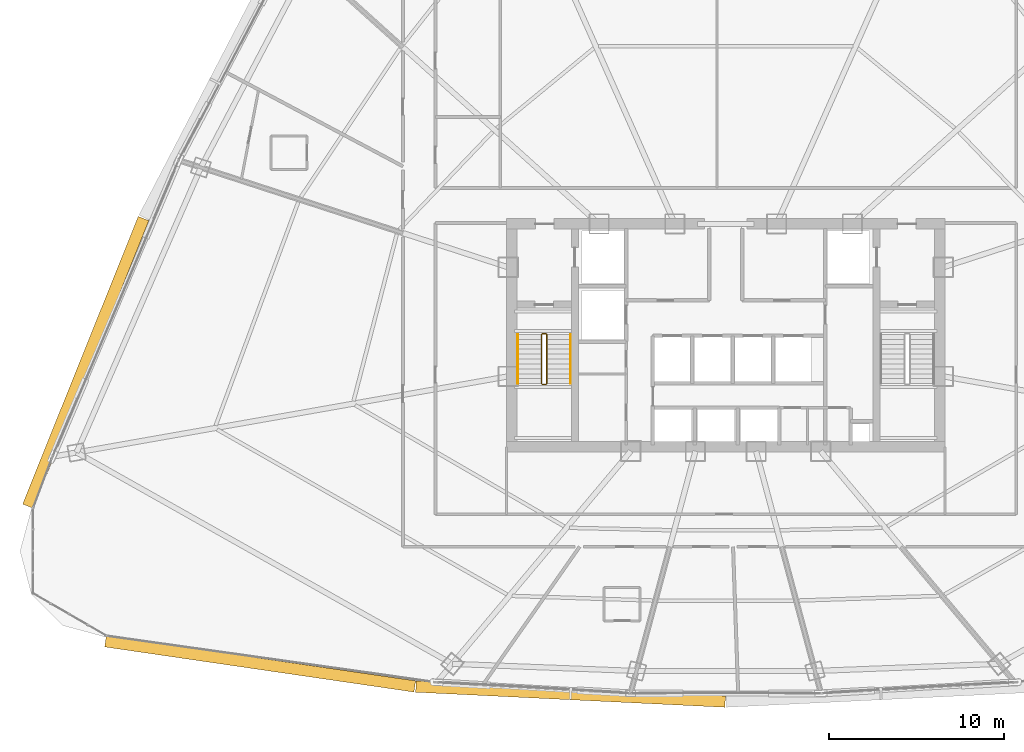
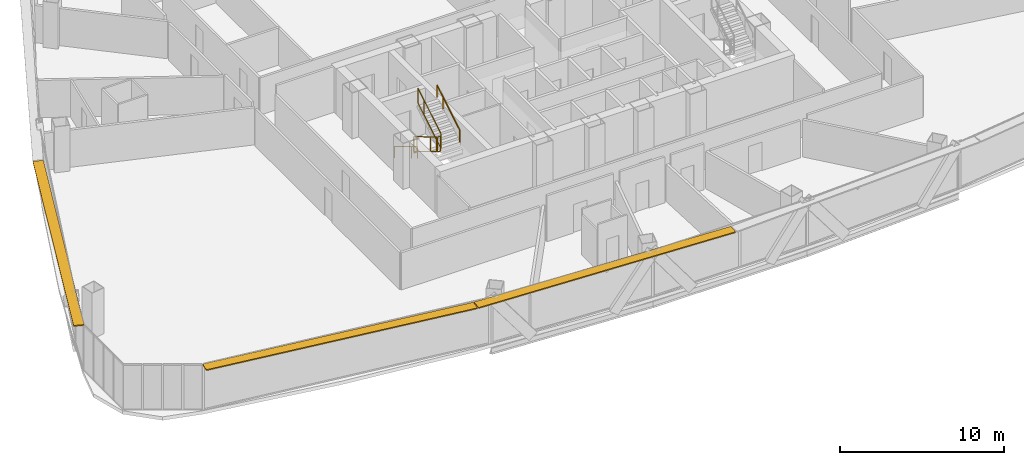
# One storey, part 38 of 41: 6 railings, 3 shading devices.
"""IFC4 building model written with IfcOpenShell, lengths in metres."""

from ifc_helpers import new_model, si_unit, direction, frame, origin, origin_2d, place, context, subcontext, project, spatial, rectangle, extrude, source, transform, mapped, material, layer, layer_set, type_object, element, save


model = new_model("IFC4")

# Units and contexts
model_context = context("Model", 3, precision=1e-05, world=origin(), true_north=direction((0.0, 1.0)))
body_context = subcontext(model_context, "Body", "Model", "MODEL_VIEW")
ifc_project = project(units=[si_unit("LENGTHUNIT", "METRE"), si_unit("AREAUNIT", "SQUARE_METRE"), si_unit("VOLUMEUNIT", "CUBIC_METRE"), si_unit("PLANEANGLEUNIT", "RADIAN"), si_unit("MASSUNIT", "GRAM", prefix="KILO"), si_unit("THERMODYNAMICTEMPERATUREUNIT", "KELVIN"), si_unit("POWERUNIT", "WATT")], contexts=[model_context])

# Site, building, storey
site_placement = place(None, origin())
site = spatial("IfcSite", under=ifc_project, at=site_placement, CompositionType="ELEMENT")
building_placement = place(site_placement, origin())
building = spatial("IfcBuilding", under=site, at=building_placement, Name="Yunzhuo Pagoda Commons", CompositionType="ELEMENT")
storey_placement = place(building_placement, frame((0.0, 0.0, 155.590087890625)))
storey = spatial("IfcBuildingStorey", under=building, at=storey_placement, Name="L39", CompositionType="ELEMENT", Elevation=155.590087890625)

# Railings
ifc_material = material(Name="Anodized aluminium 6063-T6", Category="aluminium")
railing_type_1 = type_object("IfcRailingType", Name="GR-ST1 Stair Well Guardrail 1150", PredefinedType="GUARDRAIL", material=ifc_material)
railing_1_placement = place(storey_placement, frame((37.5, 33.89990234375, 0.167236328125)))
element("IfcRailing", 1, at=railing_1_placement, inside=storey, type_object=railing_type_1, Name="L39 ST1 stair guard 1", PredefinedType="GUARDRAIL", context=body_context, shape_type="SweptSolid", body=[
    extrude(rectangle(XDim=0.048095703125, YDim=0.048095703125, at=origin_2d()), frame((0.0, 0.0, 1.1259765625), z_axis=(0.0, -0.858475523978, 0.512854535645), x_axis=(1.0, 0.0, 0.0)), (0.0, 0.0, 1.0), 3.261474609375),
    extrude(rectangle(XDim=0.048095703125, YDim=0.048095703125, at=origin_2d()), frame((0.0, 0.0, 0.02392578125), z_axis=(0.0, -0.858475523978, 0.512854535645), x_axis=(1.0, 0.0, 0.0)), (0.0, 0.0, 1.0), 3.261474609375),
    extrude(rectangle(XDim=0.0419921875, YDim=0.0419921875, at=origin_2d()), origin(), (0.0, 0.0, 1.0), 1.101806640625),
    extrude(rectangle(XDim=0.0419921875, YDim=0.0419921875, at=origin_2d()), frame((0.0, -2.060302734375, 1.23095703125)), (0.0, 0.0, 1.0), 1.101806640625),
    extrude(rectangle(XDim=0.0419921875, YDim=0.0419921875, at=origin_2d()), frame((0.0, -2.7998046875, 1.672607421875)), (0.0, 0.0, 1.0), 1.101806640625),
])
railing_2_placement = place(storey_placement, frame((37.550048828125, 31.050048828125, 1.83984375)))
element("IfcRailing", 2, at=railing_2_placement, inside=storey, type_object=railing_type_1, Name="L39 ST1 stair guard 2", PredefinedType="GUARDRAIL", context=body_context, shape_type="SweptSolid", body=[
    extrude(rectangle(XDim=0.048095703125, YDim=0.048095703125, at=origin_2d()), frame((0.0, 0.0, 1.1259765625), z_axis=(1.0, 0.0, 0.0), x_axis=(0.0, 1.0, 0.0)), (0.0, 0.0, 1.0), 0.199951171875),
    extrude(rectangle(XDim=0.048095703125, YDim=0.048095703125, at=origin_2d()), frame((0.0, 0.0, 0.02392578125), z_axis=(1.0, 0.0, 0.0), x_axis=(0.0, 1.0, 0.0)), (0.0, 0.0, 1.0), 0.199951171875),
    extrude(rectangle(XDim=0.0419921875, YDim=0.0419921875, at=origin_2d()), origin(), (0.0, 0.0, 1.0), 1.101806640625),
    extrude(rectangle(XDim=0.0419921875, YDim=0.0419921875, at=origin_2d()), frame((0.199951171875, 0.0, 0.0)), (0.0, 0.0, 1.0), 1.101806640625),
])
railing_3_placement = place(storey_placement, frame((37.800048828125, 31.10009765625, 2.007080078125)))
element("IfcRailing", 3, at=railing_3_placement, inside=storey, type_object=railing_type_1, Name="L39 ST1 stair guard 3", PredefinedType="GUARDRAIL", context=body_context, shape_type="SweptSolid", body=[
    extrude(rectangle(XDim=0.048095703125, YDim=0.048095703125, at=origin_2d()), frame((0.0, 0.0, 1.1259765625), z_axis=(0.0, 0.858442565357, 0.512909701589), x_axis=(-1.0, 0.0, 0.0)), (0.0, 0.0, 1.0), 3.261474609375),
    extrude(rectangle(XDim=0.048095703125, YDim=0.048095703125, at=origin_2d()), frame((0.0, 0.0, 0.02392578125), z_axis=(0.0, 0.858442565357, 0.512909701589), x_axis=(-1.0, 0.0, 0.0)), (0.0, 0.0, 1.0), 3.261474609375),
    extrude(rectangle(XDim=0.0419921875, YDim=0.0419921875, at=origin_2d()), origin(), (0.0, 0.0, 1.0), 1.101806640625),
    extrude(rectangle(XDim=0.0419921875, YDim=0.0419921875, at=origin_2d()), frame((0.0, 2.060302734375, 1.23095703125)), (0.0, 0.0, 1.0), 1.101806640625),
    extrude(rectangle(XDim=0.0419921875, YDim=0.0419921875, at=origin_2d()), frame((0.0, 2.7998046875, 1.6728515625)), (0.0, 0.0, 1.0), 1.101806640625),
])
railing_4_placement = place(storey_placement, frame((37.550048828125, 33.949951171875, 0.0)))
element("IfcRailing", 4, at=railing_4_placement, inside=storey, type_object=railing_type_1, Name="L39 ST1 stair guard 4", PredefinedType="GUARDRAIL", context=body_context, shape_type="SweptSolid", body=[
    extrude(rectangle(XDim=0.048095703125, YDim=0.048095703125, at=origin_2d()), frame((0.0, 0.0, 1.1259765625), z_axis=(1.0, 0.0, 0.0), x_axis=(0.0, 1.0, 0.0)), (0.0, 0.0, 1.0), 0.199951171875),
    extrude(rectangle(XDim=0.048095703125, YDim=0.048095703125, at=origin_2d()), frame((0.0, 0.0, 0.02392578125), z_axis=(1.0, 0.0, 0.0), x_axis=(0.0, 1.0, 0.0)), (0.0, 0.0, 1.0), 0.199951171875),
    extrude(rectangle(XDim=0.0419921875, YDim=0.0419921875, at=origin_2d()), origin(), (0.0, 0.0, 1.0), 1.101806640625),
    extrude(rectangle(XDim=0.0419921875, YDim=0.0419921875, at=origin_2d()), frame((0.199951171875, 0.0, 0.0)), (0.0, 0.0, 1.0), 1.101806640625),
])
railing_type_2 = type_object("IfcRailingType", Name="HR-ST1 Stair Handrail 900", PredefinedType="HANDRAIL", material=ifc_material)
railing_5_placement = place(storey_placement, frame((36.14990234375, 33.89990234375, 0.167236328125)))
element("IfcRailing", 5, at=railing_5_placement, inside=storey, type_object=railing_type_2, Name="L39 ST1 stair handrail 1", PredefinedType="HANDRAIL", context=body_context, shape_type="SweptSolid", body=[
    extrude(rectangle(XDim=0.048095703125, YDim=0.048095703125, at=origin_2d()), frame((0.0, 0.0, 0.8759765625), z_axis=(0.0, -0.858475523978, 0.512854535645), x_axis=(1.0, 0.0, 0.0)), (0.0, 0.0, 1.0), 3.261474609375),
    extrude(rectangle(XDim=0.0419921875, YDim=0.0419921875, at=origin_2d()), origin(), (0.0, 0.0, 1.0), 0.851806640625),
    extrude(rectangle(XDim=0.0419921875, YDim=0.0419921875, at=origin_2d()), frame((0.0, -2.060302734375, 1.23095703125)), (0.0, 0.0, 1.0), 0.851806640625),
    extrude(rectangle(XDim=0.0419921875, YDim=0.0419921875, at=origin_2d()), frame((0.0, -2.7998046875, 1.672607421875)), (0.0, 0.0, 1.0), 0.851806640625),
])
railing_6_placement = place(storey_placement, frame((39.14990234375, 31.10009765625, 2.007080078125)))
element("IfcRailing", 6, at=railing_6_placement, inside=storey, type_object=railing_type_2, Name="L39 ST1 stair handrail 2", PredefinedType="HANDRAIL", context=body_context, shape_type="SweptSolid", body=[
    extrude(rectangle(XDim=0.048095703125, YDim=0.048095703125, at=origin_2d()), frame((0.0, 0.0, 0.8759765625), z_axis=(0.0, 0.858442565357, 0.512909701589), x_axis=(-1.0, 0.0, 0.0)), (0.0, 0.0, 1.0), 3.261474609375),
    extrude(rectangle(XDim=0.0419921875, YDim=0.0419921875, at=origin_2d()), origin(), (0.0, 0.0, 1.0), 0.851806640625),
    extrude(rectangle(XDim=0.0419921875, YDim=0.0419921875, at=origin_2d()), frame((0.0, 2.060302734375, 1.23095703125)), (0.0, 0.0, 1.0), 0.851806640625),
    extrude(rectangle(XDim=0.0419921875, YDim=0.0419921875, at=origin_2d()), frame((0.0, 2.7998046875, 1.6728515625)), (0.0, 0.0, 1.0), 0.851806640625),
])

# Shading devices
ifc_layer = layer(ifc_material, 0.080078125)
ifc_layer_set = layer_set([ifc_layer], Name="Anodized aluminium 6063-T6")
shading_device_type = type_object("IfcShadingDeviceType", Name="SH-SUN1 Pagoda Horizontal Sunshade Eave 650", PredefinedType="USERDEFINED", material=ifc_layer_set)
shared_shape_1 = source(origin(), body_context, "Body", "SweptSolid", [
    extrude(rectangle(XDim=17.81640625, YDim=0.64990234375, at=origin_2d()), origin(), (0.0, 0.0, 1.0), 0.080078125),
])
shading_device_1_placement = place(storey_placement, frame((21.461669921875, 15.126708984375, 3.33984375), z_axis=(0.0, 0.0, 1.0), x_axis=(0.989510666697, -0.144459823108, 0.0)))
element("IfcShadingDevice", 7, at=shading_device_1_placement, inside=storey, type_object=shading_device_type, Name="L39 horizontal pagoda sunshade eave F1.1", ObjectType="SUNSHADE", PredefinedType="USERDEFINED", context=body_context, shape_type="MappedRepresentation", body=[
    mapped(shared_shape_1, transform((0.0, 0.0, 0.0), scale=1.0)),
])
shared_shape_2 = source(origin(), body_context, "Body", "SweptSolid", [
    extrude(rectangle(XDim=17.64990234375, YDim=0.64990234375, at=origin_2d()), origin(), (0.0, 0.0, 1.0), 0.080078125),
])
shading_device_2_placement = place(storey_placement, frame((39.15380859375, 13.40478515625, 3.33984375), z_axis=(0.0, 0.0, 1.0), x_axis=(0.998818043775, -0.04860571396, 0.0)))
element("IfcShadingDevice", 8, at=shading_device_2_placement, inside=storey, type_object=shading_device_type, Name="L39 horizontal pagoda sunshade eave F1.2", ObjectType="SUNSHADE", PredefinedType="USERDEFINED", context=body_context, shape_type="MappedRepresentation", body=[
    mapped(shared_shape_2, transform((0.0, 0.0, 0.0), scale=1.0)),
])
shared_shape_3 = source(origin(), body_context, "Body", "SweptSolid", [
    extrude(rectangle(XDim=17.673095703125, YDim=0.64990234375, at=origin_2d()), origin(), (0.0, 0.0, 1.0), 0.080078125),
])
shading_device_3_placement = place(storey_placement, frame((11.521728515625, 32.31201171875, 3.33984375), z_axis=(0.0, 0.0, 1.0), x_axis=(-0.372987782576, -0.927836253899, 0.0)))
element("IfcShadingDevice", 9, at=shading_device_3_placement, inside=storey, type_object=shading_device_type, Name="L39 horizontal pagoda sunshade eave F3.4", ObjectType="SUNSHADE", PredefinedType="USERDEFINED", context=body_context, shape_type="MappedRepresentation", body=[
    mapped(shared_shape_3, transform((0.0, 0.0, 0.0), scale=1.0)),
])

save(model, "model.ifc")
